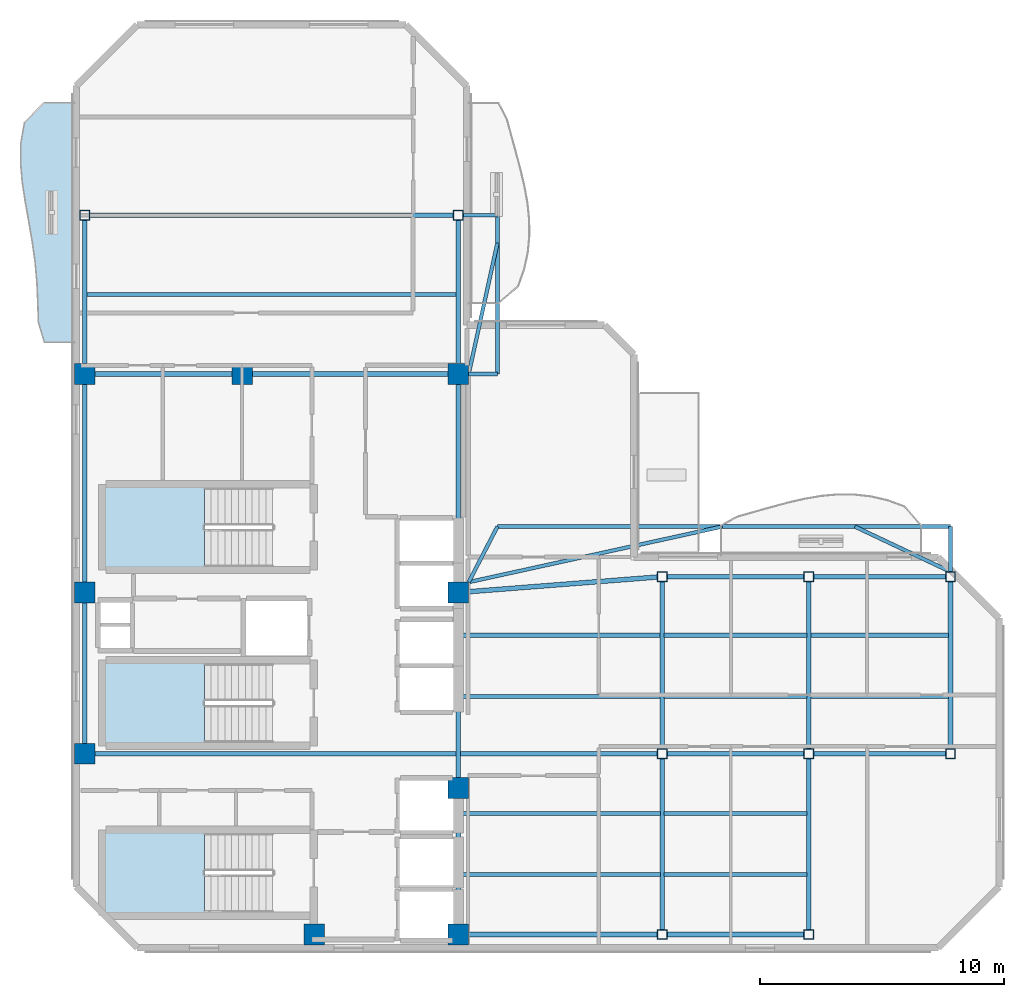
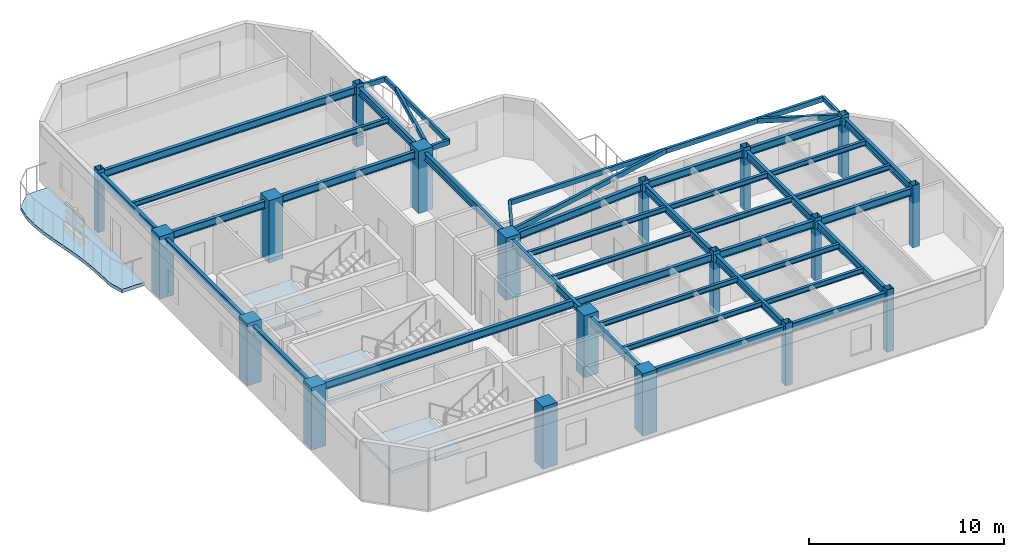
# One storey, part 1 of 8: 43 beams, 19 columns, 4 slabs, 3 elements without a shape of their own.
"""IFC4 building model written with IfcOpenShell, lengths in metres."""

from ifc_helpers import new_model, si_unit, direction, frame, origin, origin_2d, place, context, subcontext, project, spatial, polyline, rectangle, hollow_rectangle, i_section, outline, extrude, material, layer, layer_set, material_profile, profile_set, type_object, element, aggregate, save


model = new_model("IFC4")

# Units and contexts
model_context = context("Model", 3, precision=1e-05, world=origin(), true_north=direction((0.0, 1.0)))
body_context = subcontext(model_context, "Body", "Model", "MODEL_VIEW")
ifc_project = project(units=[si_unit("LENGTHUNIT", "METRE"), si_unit("AREAUNIT", "SQUARE_METRE"), si_unit("VOLUMEUNIT", "CUBIC_METRE"), si_unit("PLANEANGLEUNIT", "RADIAN"), si_unit("MASSUNIT", "GRAM", prefix="KILO")], contexts=[model_context])

# Site, building, storey
site_placement = place(None, origin())
site = spatial("IfcSite", under=ifc_project, at=site_placement, CompositionType="ELEMENT")
building_placement = place(site_placement, origin())
building = spatial("IfcBuilding", under=site, at=building_placement, Name="Mawjaban Terraces University", CompositionType="ELEMENT")
storey_placement = place(building_placement, frame((0.0, 0.0, 248.199951171875)))
storey = spatial("IfcBuildingStorey", under=building, at=storey_placement, Name="L60", CompositionType="ELEMENT", Elevation=248.199951171875)

# Columns
ifc_material_1 = material(Name="Concrete C50/60", Category="concrete")
ifc_material_profile_1 = material_profile(ifc_material_1, rectangle(XDim=0.85009765625, YDim=0.85009765625, at=origin_2d()), Name="RC850X850")
ifc_profile_set_1 = profile_set([ifc_material_profile_1], Name="Concrete C50/60")
column_type_1 = type_object("IfcColumnType", Name="Col_RC850X850", PredefinedType="COLUMN", material=ifc_profile_set_1)
for number, where, z_axis, x_axis, name in (
    (1, (31.75, 0.550048828125, 0.0), (0.0, 0.0, 1.0), (1.0, 0.0, 0.0), "L60 Column CC2"),
    (2, (37.64990234375, 0.550048828125, 0.0), (0.0, 0.0, 1.0), (1.0, 0.0, 0.0), "L60 Column CC3"),
    (3, (22.35009765625, 7.949951171875, 0.0), (0.0, 0.0, 1.0), (1.0, 0.0, 0.0), "L60 Column CC4"),
    (4, (37.64990234375, 6.550048828125, 0.0), (0.0, 0.0, 1.0), (1.0, 0.0, 0.0), "L60 Column CC5"),
    (5, (22.35009765625, 14.550048828125, 0.0), (0.0, 0.0, 1.0), (1.0, 0.0, 0.0), "L60 Column CC6"),
    (6, (37.64990234375, 14.550048828125, 0.0), (0.0, 0.0, 1.0), (1.0, 0.0, 0.0), "L60 Column CC7"),
    (7, (22.35009765625, 23.5, 0.0), (0.0, 0.0, 1.0), (1.0, 0.0, 0.0), "L60 Column CC8"),
    (8, (28.800048828125, 23.5, 0.0), (0.0, 0.0, 1.0), (1.0, 0.0, 0.0), "L60 Column CC9"),
    (9, (37.64990234375, 23.5, 0.0), (0.0, 0.0, 1.0), (1.0, 0.0, 0.0), "L60 Column CC10"),
):
    element("IfcColumn", number, at=place(storey_placement, frame(where, z_axis=z_axis, x_axis=x_axis)), inside=storey, type_object=column_type_1, Name=name, PredefinedType="COLUMN", context=body_context, shape_type="SweptSolid", body=[
        extrude(rectangle(XDim=0.85009765625, YDim=0.85009765625, at=origin_2d()), origin(), (0.0, 0.0, 1.0), 3.900146484375),
    ])
ifc_material_2 = material(Name="Steel EN 10210-1 S355J2H", Category="steel")
ifc_material_profile_2 = material_profile(ifc_material_2, hollow_rectangle(XDim=0.39990234375, YDim=0.39990234375, WallThickness=0.02001953125, at=origin_2d()), Name="SHS400X400X20")
ifc_profile_set_2 = profile_set([ifc_material_profile_2], Name="Steel EN 10210-1 S355J2H")
column_type_2 = type_object("IfcColumnType", Name="Col_SHS400X400X20", PredefinedType="COLUMN", material=ifc_profile_set_2)
for number, where, z_axis, x_axis, name in (
    (10, (46.0, 0.550048828125, 0.0), (0.0, 0.0, 1.0), (1.0, 0.0, 0.0), "L60 Column TE-460-005"),
    (11, (46.0, 7.949951171875, 0.0), (0.0, 0.0, 1.0), (1.0, 0.0, 0.0), "L60 Column TE-460-080"),
    (12, (46.0, 15.199951171875, 0.0), (0.0, 0.0, 1.0), (1.0, 0.0, 0.0), "L60 Column TE-460-152"),
    (13, (52.0, 0.550048828125, 0.0), (0.0, 0.0, 1.0), (1.0, 0.0, 0.0), "L60 Column TE-520-005"),
    (14, (52.0, 7.949951171875, 0.0), (0.0, 0.0, 1.0), (1.0, 0.0, 0.0), "L60 Column TE-520-080"),
    (15, (52.0, 15.199951171875, 0.0), (0.0, 0.0, 1.0), (1.0, 0.0, 0.0), "L60 Column TE-520-152"),
    (16, (57.800048828125, 7.949951171875, 0.0), (0.0, 0.0, 1.0), (1.0, 0.0, 0.0), "L60 Column TE-578-080"),
    (17, (57.800048828125, 15.199951171875, 0.0), (0.0, 0.0, 1.0), (1.0, 0.0, 0.0), "L60 Column TE-578-152"),
    (18, (22.35009765625, 30.0, 0.0), (0.0, 0.0, 1.0), (1.0, 0.0, 0.0), "L60 Column TN-223-300"),
    (19, (37.64990234375, 30.0, 0.0), (0.0, 0.0, 1.0), (1.0, 0.0, 0.0), "L60 Column TN-376-300"),
):
    element("IfcColumn", number, at=place(storey_placement, frame(where, z_axis=z_axis, x_axis=x_axis)), inside=storey, type_object=column_type_2, Name=name, PredefinedType="COLUMN", context=body_context, shape_type="SweptSolid", body=[
        extrude(hollow_rectangle(XDim=0.39990234375, YDim=0.39990234375, WallThickness=0.02001953125, at=origin_2d()), origin(), (0.0, 0.0, 1.0), 3.900146484375),
    ])

# Beams
ifc_material_profile_3 = material_profile(ifc_material_2, hollow_rectangle(XDim=0.14990234375, YDim=0.300048828125, WallThickness=0.012451171875, at=origin_2d()), Name="RHS300X150X12.5")
ifc_profile_set_3 = profile_set([ifc_material_profile_3], Name="Steel EN 10210-1 S355J2H")
beam_type_1 = type_object("IfcBeamType", Name="BalconyCantileverSpandrel_RHS", PredefinedType="SPANDREL", material=ifc_profile_set_3)
beam_1_placement = place(storey_placement, frame((38.074951171875, 14.97509765625, 3.5400390625), z_axis=(0.458922210771, 0.88847645127, 0.0), x_axis=(-0.88847645127, 0.458922210771, 0.0)))
element("IfcBeam", 20, at=beam_1_placement, inside=storey, type_object=beam_type_1, Name="L60 Corner Outrigger BAL-L61-N", PredefinedType="SPANDREL", context=body_context, shape_type="SweptSolid", body=[
    extrude(hollow_rectangle(XDim=0.14990234375, YDim=0.300048828125, WallThickness=0.012451171875, at=origin_2d()), origin(), (0.0, 0.0, 1.0), 2.560546875),
])
beam_2_placement = place(storey_placement, frame((57.800048828125, 15.39990234375, 3.5400390625), z_axis=(0.0, 1.0, 0.0), x_axis=(-1.0, 0.0, 0.0)))
element("IfcBeam", 21, at=beam_2_placement, inside=storey, type_object=beam_type_1, Name="L60 Exterior Outrigger BAL-L61-N.2", PredefinedType="SPANDREL", context=body_context, shape_type="SweptSolid", body=[
    extrude(hollow_rectangle(XDim=0.14990234375, YDim=0.300048828125, WallThickness=0.012451171875, at=origin_2d()), origin(), (0.0, 0.0, 1.0), 1.85009765625),
])
beam_3_placement = place(storey_placement, frame((39.25, 17.25, 3.5400390625), z_axis=(1.0, 0.0, 0.0), x_axis=(0.0, 1.0, 0.0)))
element("IfcBeam", 22, at=beam_3_placement, inside=storey, type_object=beam_type_1, Name="L60 Exterior Edge Spandrel BAL-L61-N", PredefinedType="SPANDREL", context=body_context, shape_type="SweptSolid", body=[
    extrude(hollow_rectangle(XDim=0.14990234375, YDim=0.300048828125, WallThickness=0.012451171875, at=origin_2d()), origin(), (0.0, 0.0, 1.0), 18.550048828125),
])
beam_4_placement = place(storey_placement, frame((38.074951171875, 14.97509765625, 3.5400390625), z_axis=(0.97681645873, 0.214078504185, 0.0), x_axis=(-0.214078504185, 0.97681645873, 0.0)))
element("IfcBeam", 23, at=beam_4_placement, inside=storey, type_object=beam_type_1, Name="L60 Exterior Diagonal Strut BAL-L61-N.1", PredefinedType="SPANDREL", context=body_context, shape_type="SweptSolid", body=[
    extrude(hollow_rectangle(XDim=0.14990234375, YDim=0.300048828125, WallThickness=0.012451171875, at=origin_2d()), origin(), (0.0, 0.0, 1.0), 10.62646484375),
])
beam_5_placement = place(storey_placement, frame((57.800048828125, 15.39990234375, 3.5400390625), z_axis=(-0.904130086738, 0.427257283443, 0.0), x_axis=(-0.427257283443, -0.904130086738, 0.0)))
element("IfcBeam", 24, at=beam_5_placement, inside=storey, type_object=beam_type_1, Name="L60 Exterior Diagonal Strut BAL-L61-N.2", PredefinedType="SPANDREL", context=body_context, shape_type="SweptSolid", body=[
    extrude(hollow_rectangle(XDim=0.14990234375, YDim=0.300048828125, WallThickness=0.012451171875, at=origin_2d()), origin(), (0.0, 0.0, 1.0), 4.330078125),
])
beam_6_placement = place(storey_placement, frame((38.074951171875, 23.5, 3.5400390625), z_axis=(1.0, 0.0, 0.0), x_axis=(0.0, 1.0, 0.0)))
element("IfcBeam", 25, at=beam_6_placement, inside=storey, type_object=beam_type_1, Name="L60 Exterior Outrigger BAL-L61-E.1", PredefinedType="SPANDREL", context=body_context, shape_type="SweptSolid", body=[
    extrude(hollow_rectangle(XDim=0.14990234375, YDim=0.300048828125, WallThickness=0.012451171875, at=origin_2d()), origin(), (0.0, 0.0, 1.0), 1.175048828125),
])
beam_7_placement = place(storey_placement, frame((37.85009765625, 30.0, 3.5400390625), z_axis=(1.0, 0.0, 0.0), x_axis=(0.0, 1.0, 0.0)))
element("IfcBeam", 26, at=beam_7_placement, inside=storey, type_object=beam_type_1, Name="L60 Exterior Outrigger BAL-L61-E.2", PredefinedType="SPANDREL", context=body_context, shape_type="SweptSolid", body=[
    extrude(hollow_rectangle(XDim=0.14990234375, YDim=0.300048828125, WallThickness=0.012451171875, at=origin_2d()), origin(), (0.0, 0.0, 1.0), 1.39990234375),
])
beam_8_placement = place(storey_placement, frame((39.25, 23.5, 3.5400390625), z_axis=(0.0, 1.0, 0.0), x_axis=(-1.0, 0.0, 0.0)))
element("IfcBeam", 27, at=beam_8_placement, inside=storey, type_object=beam_type_1, Name="L60 Exterior Edge Spandrel BAL-L61-E", PredefinedType="SPANDREL", context=body_context, shape_type="SweptSolid", body=[
    extrude(hollow_rectangle(XDim=0.14990234375, YDim=0.300048828125, WallThickness=0.012451171875, at=origin_2d()), origin(), (0.0, 0.0, 1.0), 6.5),
])
beam_9_placement = place(storey_placement, frame((38.074951171875, 23.5, 3.5400390625), z_axis=(0.214136046933, 0.97680384592, 0.0), x_axis=(-0.97680384592, 0.214136046933, 0.0)))
element("IfcBeam", 28, at=beam_9_placement, inside=storey, type_object=beam_type_1, Name="L60 Exterior Diagonal Strut BAL-L61-E.1", PredefinedType="SPANDREL", context=body_context, shape_type="SweptSolid", body=[
    extrude(hollow_rectangle(XDim=0.14990234375, YDim=0.300048828125, WallThickness=0.012451171875, at=origin_2d()), origin(), (0.0, 0.0, 1.0), 5.4873046875),
])
ifc_material_3 = material(Name="Steel ASTM A572 Grade 50", Category="steel")
ifc_material_profile_4 = material_profile(ifc_material_3, i_section(OverallWidth=0.194091796875, OverallDepth=0.468994140625, WebThickness=0.011474609375, FlangeThickness=0.0205078125, at=origin_2d()), Name="W460X106")
ifc_profile_set_4 = profile_set([ifc_material_profile_4], Name="Steel ASTM A572 Grade 50")
beam_type_2 = type_object("IfcBeamType", Name="Beam_B_W460X106", PredefinedType="BEAM", material=ifc_profile_set_4)
beam_10_placement = place(storey_placement, frame((38.074951171875, 0.550048828125, 3.455078125), z_axis=(1.0, 0.0, 0.0), x_axis=(0.0, 1.0, 0.0)))
element("IfcBeam", 29, at=beam_10_placement, inside=storey, type_object=beam_type_2, Name="L60 Beam BM-L60-EW-01", PredefinedType="BEAM", context=body_context, shape_type="SweptSolid", body=[
    extrude(i_section(OverallWidth=0.194091796875, OverallDepth=0.468994140625, WebThickness=0.011474609375, FlangeThickness=0.0205078125, at=origin_2d()), origin(), (0.0, 0.0, 1.0), 7.72509765625),
])
beam_11_placement = place(storey_placement, frame((46.199951171875, 0.550048828125, 3.455078125), z_axis=(1.0, 0.0, 0.0), x_axis=(0.0, 1.0, 0.0)))
element("IfcBeam", 30, at=beam_11_placement, inside=storey, type_object=beam_type_2, Name="L60 Beam BM-L60-EW-02", PredefinedType="BEAM", context=body_context, shape_type="SweptSolid", body=[
    extrude(i_section(OverallWidth=0.194091796875, OverallDepth=0.468994140625, WebThickness=0.011474609375, FlangeThickness=0.0205078125, at=origin_2d()), origin(), (0.0, 0.0, 1.0), 5.60009765625),
])
beam_12_placement = place(storey_placement, frame((22.77490234375, 7.949951171875, 3.455078125), z_axis=(1.0, 0.0, 0.0), x_axis=(0.0, 1.0, 0.0)))
element("IfcBeam", 31, at=beam_12_placement, inside=storey, type_object=beam_type_2, Name="L60 Beam BM-L60-EW-03", PredefinedType="BEAM", context=body_context, shape_type="SweptSolid", body=[
    extrude(i_section(OverallWidth=0.194091796875, OverallDepth=0.468994140625, WebThickness=0.011474609375, FlangeThickness=0.0205078125, at=origin_2d()), origin(), (0.0, 0.0, 1.0), 23.025146484375),
])
beam_13_placement = place(storey_placement, frame((46.199951171875, 7.949951171875, 3.455078125), z_axis=(1.0, 0.0, 0.0), x_axis=(0.0, 1.0, 0.0)))
element("IfcBeam", 32, at=beam_13_placement, inside=storey, type_object=beam_type_2, Name="L60 Beam BM-L60-EW-04", PredefinedType="BEAM", context=body_context, shape_type="SweptSolid", body=[
    extrude(i_section(OverallWidth=0.194091796875, OverallDepth=0.468994140625, WebThickness=0.011474609375, FlangeThickness=0.0205078125, at=origin_2d()), origin(), (0.0, 0.0, 1.0), 5.60009765625),
])
beam_14_placement = place(storey_placement, frame((52.199951171875, 7.949951171875, 3.455078125), z_axis=(1.0, 0.0, 0.0), x_axis=(0.0, 1.0, 0.0)))
element("IfcBeam", 33, at=beam_14_placement, inside=storey, type_object=beam_type_2, Name="L60 Beam BM-L60-EW-05", PredefinedType="BEAM", context=body_context, shape_type="SweptSolid", body=[
    extrude(i_section(OverallWidth=0.194091796875, OverallDepth=0.468994140625, WebThickness=0.011474609375, FlangeThickness=0.0205078125, at=origin_2d()), origin(), (0.0, 0.0, 1.0), 5.400146484375),
])
beam_15_placement = place(storey_placement, frame((46.199951171875, 15.199951171875, 3.455078125), z_axis=(1.0, 0.0, 0.0), x_axis=(0.0, 1.0, 0.0)))
element("IfcBeam", 34, at=beam_15_placement, inside=storey, type_object=beam_type_2, Name="L60 Beam BM-L60-EW-06", PredefinedType="BEAM", context=body_context, shape_type="SweptSolid", body=[
    extrude(i_section(OverallWidth=0.194091796875, OverallDepth=0.468994140625, WebThickness=0.011474609375, FlangeThickness=0.0205078125, at=origin_2d()), origin(), (0.0, 0.0, 1.0), 5.60009765625),
])
beam_16_placement = place(storey_placement, frame((52.199951171875, 15.199951171875, 3.455078125), z_axis=(1.0, 0.0, 0.0), x_axis=(0.0, 1.0, 0.0)))
element("IfcBeam", 35, at=beam_16_placement, inside=storey, type_object=beam_type_2, Name="L60 Beam BM-L60-EW-07", PredefinedType="BEAM", context=body_context, shape_type="SweptSolid", body=[
    extrude(i_section(OverallWidth=0.194091796875, OverallDepth=0.468994140625, WebThickness=0.011474609375, FlangeThickness=0.0205078125, at=origin_2d()), origin(), (0.0, 0.0, 1.0), 5.400146484375),
])
beam_17_placement = place(storey_placement, frame((22.77490234375, 23.5, 3.455078125), z_axis=(1.0, 0.0, 0.0), x_axis=(0.0, 1.0, 0.0)))
element("IfcBeam", 36, at=beam_17_placement, inside=storey, type_object=beam_type_2, Name="L60 Beam BM-L60-EW-08", PredefinedType="BEAM", context=body_context, shape_type="SweptSolid", body=[
    extrude(i_section(OverallWidth=0.194091796875, OverallDepth=0.468994140625, WebThickness=0.011474609375, FlangeThickness=0.0205078125, at=origin_2d()), origin(), (0.0, 0.0, 1.0), 5.60009765625),
])
beam_18_placement = place(storey_placement, frame((29.22509765625, 23.5, 3.455078125), z_axis=(1.0, 0.0, 0.0), x_axis=(0.0, 1.0, 0.0)))
element("IfcBeam", 37, at=beam_18_placement, inside=storey, type_object=beam_type_2, Name="L60 Beam BM-L60-EW-09", PredefinedType="BEAM", context=body_context, shape_type="SweptSolid", body=[
    extrude(i_section(OverallWidth=0.194091796875, OverallDepth=0.468994140625, WebThickness=0.011474609375, FlangeThickness=0.0205078125, at=origin_2d()), origin(), (0.0, 0.0, 1.0), 8.0),
])
beam_19_placement = place(storey_placement, frame((22.550048828125, 30.0, 3.455078125), z_axis=(1.0, 0.0, 0.0), x_axis=(0.0, 1.0, 0.0)))
element("IfcBeam", 38, at=beam_19_placement, inside=storey, type_object=beam_type_2, Name="L60 Beam BM-L60-EW-10", PredefinedType="BEAM", context=body_context, shape_type="SweptSolid", body=[
    extrude(i_section(OverallWidth=0.194091796875, OverallDepth=0.468994140625, WebThickness=0.011474609375, FlangeThickness=0.0205078125, at=origin_2d()), origin(), (0.0, 0.0, 1.0), 14.89990234375),
])
beam_20_placement = place(storey_placement, frame((22.35009765625, 8.375, 3.455078125), z_axis=(0.0, 1.0, 0.0), x_axis=(-1.0, 0.0, 0.0)))
element("IfcBeam", 39, at=beam_20_placement, inside=storey, type_object=beam_type_2, Name="L60 Beam BM-L60-NS-01", PredefinedType="BEAM", context=body_context, shape_type="SweptSolid", body=[
    extrude(i_section(OverallWidth=0.194091796875, OverallDepth=0.468994140625, WebThickness=0.011474609375, FlangeThickness=0.0205078125, at=origin_2d()), origin(), (0.0, 0.0, 1.0), 5.75),
])
beam_21_placement = place(storey_placement, frame((22.35009765625, 14.97509765625, 3.455078125), z_axis=(0.0, 1.0, 0.0), x_axis=(-1.0, 0.0, 0.0)))
element("IfcBeam", 40, at=beam_21_placement, inside=storey, type_object=beam_type_2, Name="L60 Beam BM-L60-NS-02", PredefinedType="BEAM", context=body_context, shape_type="SweptSolid", body=[
    extrude(i_section(OverallWidth=0.194091796875, OverallDepth=0.468994140625, WebThickness=0.011474609375, FlangeThickness=0.0205078125, at=origin_2d()), origin(), (0.0, 0.0, 1.0), 8.099853515625),
])
beam_22_placement = place(storey_placement, frame((22.35009765625, 23.925048828125, 3.455078125), z_axis=(0.0, 1.0, 0.0), x_axis=(-1.0, 0.0, 0.0)))
element("IfcBeam", 41, at=beam_22_placement, inside=storey, type_object=beam_type_2, Name="L60 Beam BM-L60-NS-03", PredefinedType="BEAM", context=body_context, shape_type="SweptSolid", body=[
    extrude(i_section(OverallWidth=0.194091796875, OverallDepth=0.468994140625, WebThickness=0.011474609375, FlangeThickness=0.0205078125, at=origin_2d()), origin(), (0.0, 0.0, 1.0), 5.875),
])
beam_23_placement = place(storey_placement, frame((37.64990234375, 0.97509765625, 3.455078125), z_axis=(0.0, 1.0, 0.0), x_axis=(-1.0, 0.0, 0.0)))
element("IfcBeam", 42, at=beam_23_placement, inside=storey, type_object=beam_type_2, Name="L60 Beam BM-L60-NS-04", PredefinedType="BEAM", context=body_context, shape_type="SweptSolid", body=[
    extrude(i_section(OverallWidth=0.194091796875, OverallDepth=0.468994140625, WebThickness=0.011474609375, FlangeThickness=0.0205078125, at=origin_2d()), origin(), (0.0, 0.0, 1.0), 5.14990234375),
])
beam_24_placement = place(storey_placement, frame((37.64990234375, 6.97509765625, 3.455078125), z_axis=(0.0, 1.0, 0.0), x_axis=(-1.0, 0.0, 0.0)))
element("IfcBeam", 43, at=beam_24_placement, inside=storey, type_object=beam_type_2, Name="L60 Beam BM-L60-NS-05", PredefinedType="BEAM", context=body_context, shape_type="SweptSolid", body=[
    extrude(i_section(OverallWidth=0.194091796875, OverallDepth=0.468994140625, WebThickness=0.011474609375, FlangeThickness=0.0205078125, at=origin_2d()), origin(), (0.0, 0.0, 1.0), 7.14990234375),
])
beam_25_placement = place(storey_placement, frame((37.64990234375, 14.97509765625, 3.455078125), z_axis=(0.0, 1.0, 0.0), x_axis=(-1.0, 0.0, 0.0)))
element("IfcBeam", 44, at=beam_25_placement, inside=storey, type_object=beam_type_2, Name="L60 Beam BM-L60-NS-06", PredefinedType="BEAM", context=body_context, shape_type="SweptSolid", body=[
    extrude(i_section(OverallWidth=0.194091796875, OverallDepth=0.468994140625, WebThickness=0.011474609375, FlangeThickness=0.0205078125, at=origin_2d()), origin(), (0.0, 0.0, 1.0), 8.099853515625),
])
beam_26_placement = place(storey_placement, frame((37.64990234375, 23.925048828125, 3.455078125), z_axis=(0.0, 1.0, 0.0), x_axis=(-1.0, 0.0, 0.0)))
element("IfcBeam", 45, at=beam_26_placement, inside=storey, type_object=beam_type_2, Name="L60 Beam BM-L60-NS-07", PredefinedType="BEAM", context=body_context, shape_type="SweptSolid", body=[
    extrude(i_section(OverallWidth=0.194091796875, OverallDepth=0.468994140625, WebThickness=0.011474609375, FlangeThickness=0.0205078125, at=origin_2d()), origin(), (0.0, 0.0, 1.0), 5.875),
])
beam_27_placement = place(storey_placement, frame((46.0, 0.75, 3.455078125), z_axis=(0.0, 1.0, 0.0), x_axis=(-1.0, 0.0, 0.0)))
element("IfcBeam", 46, at=beam_27_placement, inside=storey, type_object=beam_type_2, Name="L60 Beam BM-L60-NS-08", PredefinedType="BEAM", context=body_context, shape_type="SweptSolid", body=[
    extrude(i_section(OverallWidth=0.194091796875, OverallDepth=0.468994140625, WebThickness=0.011474609375, FlangeThickness=0.0205078125, at=origin_2d()), origin(), (0.0, 0.0, 1.0), 7.0),
])
beam_28_placement = place(storey_placement, frame((46.0, 8.14990234375, 3.455078125), z_axis=(0.0, 1.0, 0.0), x_axis=(-1.0, 0.0, 0.0)))
element("IfcBeam", 47, at=beam_28_placement, inside=storey, type_object=beam_type_2, Name="L60 Beam BM-L60-NS-09", PredefinedType="BEAM", context=body_context, shape_type="SweptSolid", body=[
    extrude(i_section(OverallWidth=0.194091796875, OverallDepth=0.468994140625, WebThickness=0.011474609375, FlangeThickness=0.0205078125, at=origin_2d()), origin(), (0.0, 0.0, 1.0), 6.85009765625),
])
beam_29_placement = place(storey_placement, frame((52.0, 0.75, 3.455078125), z_axis=(0.0, 1.0, 0.0), x_axis=(-1.0, 0.0, 0.0)))
element("IfcBeam", 48, at=beam_29_placement, inside=storey, type_object=beam_type_2, Name="L60 Beam BM-L60-NS-10", PredefinedType="BEAM", context=body_context, shape_type="SweptSolid", body=[
    extrude(i_section(OverallWidth=0.194091796875, OverallDepth=0.468994140625, WebThickness=0.011474609375, FlangeThickness=0.0205078125, at=origin_2d()), origin(), (0.0, 0.0, 1.0), 7.0),
])
for number, where, z_axis, x_axis, name in (
    (49, (52.0, 8.14990234375, 3.455078125), (0.0, 1.0, 0.0), (-1.0, 0.0, 0.0), "L60 Beam BM-L60-NS-11"),
    (50, (57.800048828125, 8.14990234375, 3.455078125), (0.0, 1.0, 0.0), (-1.0, 0.0, 0.0), "L60 Beam BM-L60-NS-12"),
):
    element("IfcBeam", number, at=place(storey_placement, frame(where, z_axis=z_axis, x_axis=x_axis)), inside=storey, type_object=beam_type_2, Name=name, PredefinedType="BEAM", context=body_context, shape_type="SweptSolid", body=[
        extrude(i_section(OverallWidth=0.194091796875, OverallDepth=0.468994140625, WebThickness=0.011474609375, FlangeThickness=0.0205078125, at=origin_2d()), origin(), (0.0, 0.0, 1.0), 6.85009765625),
    ])
beam_30_placement = place(storey_placement, frame((38.073974609375, 14.5830078125, 3.455078125), z_axis=(0.996988151141, 0.077554023005, 0.0), x_axis=(-0.077554023005, 0.996988151141, 0.0)))
element("IfcBeam", 51, at=beam_30_placement, inside=storey, type_object=beam_type_2, Name="L60 Beam BM-L60-CTIE", PredefinedType="BEAM", context=body_context, shape_type="SweptSolid", body=[
    extrude(i_section(OverallWidth=0.194091796875, OverallDepth=0.468994140625, WebThickness=0.011474609375, FlangeThickness=0.0205078125, at=origin_2d()), origin(), (0.0, 0.0, 1.0), 7.75048828125),
])
ifc_material_profile_5 = material_profile(ifc_material_3, i_section(OverallWidth=0.1669921875, OverallDepth=0.318115234375, WebThickness=0.007568359375, FlangeThickness=0.01318359375, at=origin_2d()), Name="W310X52")
ifc_profile_set_5 = profile_set([ifc_material_profile_5], Name="Steel ASTM A572 Grade 50")
beam_type_3 = type_object("IfcBeamType", Name="Beam_J_W310X52", PredefinedType="JOIST", material=ifc_profile_set_5)
beam_31_placement = place(storey_placement, frame((37.72998046875, 3.0, 3.531005859375), z_axis=(1.0, 0.0, 0.0), x_axis=(0.0, 1.0, 0.0)))
element("IfcBeam", 52, at=beam_31_placement, inside=storey, type_object=beam_type_3, Name="L60 Composite Joist JST-L60-01", PredefinedType="JOIST", context=body_context, shape_type="SweptSolid", body=[
    extrude(i_section(OverallWidth=0.1669921875, OverallDepth=0.318115234375, WebThickness=0.007568359375, FlangeThickness=0.01318359375, at=origin_2d()), origin(), (0.0, 0.0, 1.0), 8.18994140625),
])
beam_32_placement = place(storey_placement, frame((46.080078125, 3.0, 3.531005859375), z_axis=(1.0, 0.0, 0.0), x_axis=(0.0, 1.0, 0.0)))
element("IfcBeam", 53, at=beam_32_placement, inside=storey, type_object=beam_type_3, Name="L60 Composite Joist JST-L60-02", PredefinedType="JOIST", context=body_context, shape_type="SweptSolid", body=[
    extrude(i_section(OverallWidth=0.1669921875, OverallDepth=0.318115234375, WebThickness=0.007568359375, FlangeThickness=0.01318359375, at=origin_2d()), origin(), (0.0, 0.0, 1.0), 5.83984375),
])
beam_33_placement = place(storey_placement, frame((37.72998046875, 5.5, 3.531005859375), z_axis=(1.0, 0.0, 0.0), x_axis=(0.0, 1.0, 0.0)))
element("IfcBeam", 54, at=beam_33_placement, inside=storey, type_object=beam_type_3, Name="L60 Composite Joist JST-L60-03", PredefinedType="JOIST", context=body_context, shape_type="SweptSolid", body=[
    extrude(i_section(OverallWidth=0.1669921875, OverallDepth=0.318115234375, WebThickness=0.007568359375, FlangeThickness=0.01318359375, at=origin_2d()), origin(), (0.0, 0.0, 1.0), 8.18994140625),
])
beam_34_placement = place(storey_placement, frame((46.080078125, 5.5, 3.531005859375), z_axis=(1.0, 0.0, 0.0), x_axis=(0.0, 1.0, 0.0)))
element("IfcBeam", 55, at=beam_34_placement, inside=storey, type_object=beam_type_3, Name="L60 Composite Joist JST-L60-04", PredefinedType="JOIST", context=body_context, shape_type="SweptSolid", body=[
    extrude(i_section(OverallWidth=0.1669921875, OverallDepth=0.318115234375, WebThickness=0.007568359375, FlangeThickness=0.01318359375, at=origin_2d()), origin(), (0.0, 0.0, 1.0), 5.83984375),
])
beam_35_placement = place(storey_placement, frame((37.72998046875, 10.300048828125, 3.531005859375), z_axis=(1.0, 0.0, 0.0), x_axis=(0.0, 1.0, 0.0)))
element("IfcBeam", 56, at=beam_35_placement, inside=storey, type_object=beam_type_3, Name="L60 Composite Joist JST-L60-05", PredefinedType="JOIST", context=body_context, shape_type="SweptSolid", body=[
    extrude(i_section(OverallWidth=0.1669921875, OverallDepth=0.318115234375, WebThickness=0.007568359375, FlangeThickness=0.01318359375, at=origin_2d()), origin(), (0.0, 0.0, 1.0), 8.18994140625),
])
beam_36_placement = place(storey_placement, frame((46.080078125, 10.300048828125, 3.531005859375), z_axis=(1.0, 0.0, 0.0), x_axis=(0.0, 1.0, 0.0)))
element("IfcBeam", 57, at=beam_36_placement, inside=storey, type_object=beam_type_3, Name="L60 Composite Joist JST-L60-06", PredefinedType="JOIST", context=body_context, shape_type="SweptSolid", body=[
    extrude(i_section(OverallWidth=0.1669921875, OverallDepth=0.318115234375, WebThickness=0.007568359375, FlangeThickness=0.01318359375, at=origin_2d()), origin(), (0.0, 0.0, 1.0), 5.83984375),
])
beam_37_placement = place(storey_placement, frame((52.080078125, 10.300048828125, 3.531005859375), z_axis=(1.0, 0.0, 0.0), x_axis=(0.0, 1.0, 0.0)))
element("IfcBeam", 58, at=beam_37_placement, inside=storey, type_object=beam_type_3, Name="L60 Composite Joist JST-L60-07", PredefinedType="JOIST", context=body_context, shape_type="SweptSolid", body=[
    extrude(i_section(OverallWidth=0.1669921875, OverallDepth=0.318115234375, WebThickness=0.007568359375, FlangeThickness=0.01318359375, at=origin_2d()), origin(), (0.0, 0.0, 1.0), 5.639892578125),
])
beam_38_placement = place(storey_placement, frame((37.72998046875, 12.800048828125, 3.531005859375), z_axis=(1.0, 0.0, 0.0), x_axis=(0.0, 1.0, 0.0)))
element("IfcBeam", 59, at=beam_38_placement, inside=storey, type_object=beam_type_3, Name="L60 Composite Joist JST-L60-08", PredefinedType="JOIST", context=body_context, shape_type="SweptSolid", body=[
    extrude(i_section(OverallWidth=0.1669921875, OverallDepth=0.318115234375, WebThickness=0.007568359375, FlangeThickness=0.01318359375, at=origin_2d()), origin(), (0.0, 0.0, 1.0), 8.18994140625),
])
beam_39_placement = place(storey_placement, frame((46.080078125, 12.800048828125, 3.531005859375), z_axis=(1.0, 0.0, 0.0), x_axis=(0.0, 1.0, 0.0)))
element("IfcBeam", 60, at=beam_39_placement, inside=storey, type_object=beam_type_3, Name="L60 Composite Joist JST-L60-09", PredefinedType="JOIST", context=body_context, shape_type="SweptSolid", body=[
    extrude(i_section(OverallWidth=0.1669921875, OverallDepth=0.318115234375, WebThickness=0.007568359375, FlangeThickness=0.01318359375, at=origin_2d()), origin(), (0.0, 0.0, 1.0), 5.83984375),
])
beam_40_placement = place(storey_placement, frame((52.080078125, 12.800048828125, 3.531005859375), z_axis=(1.0, 0.0, 0.0), x_axis=(0.0, 1.0, 0.0)))
element("IfcBeam", 61, at=beam_40_placement, inside=storey, type_object=beam_type_3, Name="L60 Composite Joist JST-L60-10", PredefinedType="JOIST", context=body_context, shape_type="SweptSolid", body=[
    extrude(i_section(OverallWidth=0.1669921875, OverallDepth=0.318115234375, WebThickness=0.007568359375, FlangeThickness=0.01318359375, at=origin_2d()), origin(), (0.0, 0.0, 1.0), 5.639892578125),
])
beam_41_placement = place(storey_placement, frame((22.429931640625, 26.75, 3.531005859375), z_axis=(1.0, 0.0, 0.0), x_axis=(0.0, 1.0, 0.0)))
element("IfcBeam", 62, at=beam_41_placement, inside=storey, type_object=beam_type_3, Name="L60 Composite Joist JST-L60-11", PredefinedType="JOIST", context=body_context, shape_type="SweptSolid", body=[
    extrude(i_section(OverallWidth=0.1669921875, OverallDepth=0.318115234375, WebThickness=0.007568359375, FlangeThickness=0.01318359375, at=origin_2d()), origin(), (0.0, 0.0, 1.0), 15.14013671875),
])

# Slab
ifc_material_4 = material(Name="Concrete C40/50", Category="concrete")
ifc_layer_1 = layer(ifc_material_4, 0.2099609375)
ifc_layer_set_1 = layer_set([ifc_layer_1], Name="Concrete C40/50")
slab_type_1 = type_object("IfcSlabType", Name="BalconySlab_210_Ext", PredefinedType="FLOOR", material=ifc_layer_set_1)
slab_1_placement = place(storey_placement, frame((0.0, 0.0, -0.2099609375)))
element("IfcSlab", 63, at=slab_1_placement, inside=storey, type_object=slab_type_1, Name="L60 Planted Balcony Slab west", PredefinedType="FLOOR", context=body_context, shape_type="SweptSolid", body=[
    extrude(outline(polyline([(22.010009765625, 24.800048828125), (22.010009765625, 34.60009765625), (20.699951171875, 34.60009765625), (19.884033203125, 33.782958984375), (19.739013671875, 32.967041015625), (19.72607421875, 32.14990234375), (19.798095703125, 31.3330078125), (19.922119140625, 30.51708984375), (20.068115234375, 29.699951171875), (20.2080078125, 28.883056640625), (20.321044921875, 28.06689453125), (20.39404296875, 27.25), (20.430908203125, 26.43310546875), (20.4560546875, 25.616943359375), (20.699951171875, 24.800048828125), (22.010009765625, 24.800048828125)])), origin(), (0.0, 0.0, 1.0), 0.2099609375),
])

# Stair, slab
stair_type = type_object("IfcStairType", Name="Stair_Core1550_H39", PredefinedType="HALF_TURN_STAIR", material=ifc_material_4)
stair_1_placement = place(storey_placement, origin())
stair_1 = element("IfcStair", 64, at=stair_1_placement, inside=storey, type_object=stair_type, Name="L60 Core Exit Stair 1", PredefinedType="HALF_TURN_STAIR")
ifc_layer_2 = layer(ifc_material_4, 0.199951171875)
ifc_layer_set_2 = layer_set([ifc_layer_2], Name="Concrete C40/50")
slab_type_2 = type_object("IfcSlabType", Name="StairLandingSlab_200", PredefinedType="LANDING", material=ifc_layer_set_2)
slab_2_placement = place(storey_placement, frame((0.0, 0.0, 1.75)))
slab_2 = element("IfcSlab", 65, at=slab_2_placement, type_object=slab_type_2, Name="ST-1 landing 1", PredefinedType="LANDING", context=body_context, shape_type="SweptSolid", body=[
    extrude(outline(polyline([(27.25, 4.699951171875), (23.199951171875, 4.699951171875), (23.199951171875, 1.449951171875), (27.25, 1.449951171875), (27.25, 4.699951171875)])), origin(), (0.0, 0.0, 1.0), 0.199951171875),
])
aggregate(stair_1, [slab_2])

stair_2_placement = place(storey_placement, origin())
stair_2 = element("IfcStair", 66, at=stair_2_placement, inside=storey, type_object=stair_type, Name="L60 Core Exit Stair 2", PredefinedType="HALF_TURN_STAIR")
slab_3_placement = place(storey_placement, frame((0.0, 0.0, 1.75)))
slab_3 = element("IfcSlab", 67, at=slab_3_placement, type_object=slab_type_2, Name="ST-2 landing 1", PredefinedType="LANDING", context=body_context, shape_type="SweptSolid", body=[
    extrude(outline(polyline([(27.25, 18.85009765625), (23.199951171875, 18.85009765625), (23.199951171875, 15.60009765625), (27.25, 15.60009765625), (27.25, 18.85009765625)])), origin(), (0.0, 0.0, 1.0), 0.199951171875),
])
aggregate(stair_2, [slab_3])

stair_3_placement = place(storey_placement, origin())
stair_3 = element("IfcStair", 68, at=stair_3_placement, inside=storey, type_object=stair_type, Name="L60 Core Exit Stair 3", PredefinedType="HALF_TURN_STAIR")
slab_4_placement = place(storey_placement, frame((0.0, 0.0, 1.75)))
slab_4 = element("IfcSlab", 69, at=slab_4_placement, type_object=slab_type_2, Name="ST-3 landing 1", PredefinedType="LANDING", context=body_context, shape_type="SweptSolid", body=[
    extrude(outline(polyline([(27.25, 11.64990234375), (23.199951171875, 11.64990234375), (23.199951171875, 8.39990234375), (27.25, 8.39990234375), (27.25, 11.64990234375)])), origin(), (0.0, 0.0, 1.0), 0.199951171875),
])
aggregate(stair_3, [slab_4])

save(model, "model.ifc")
